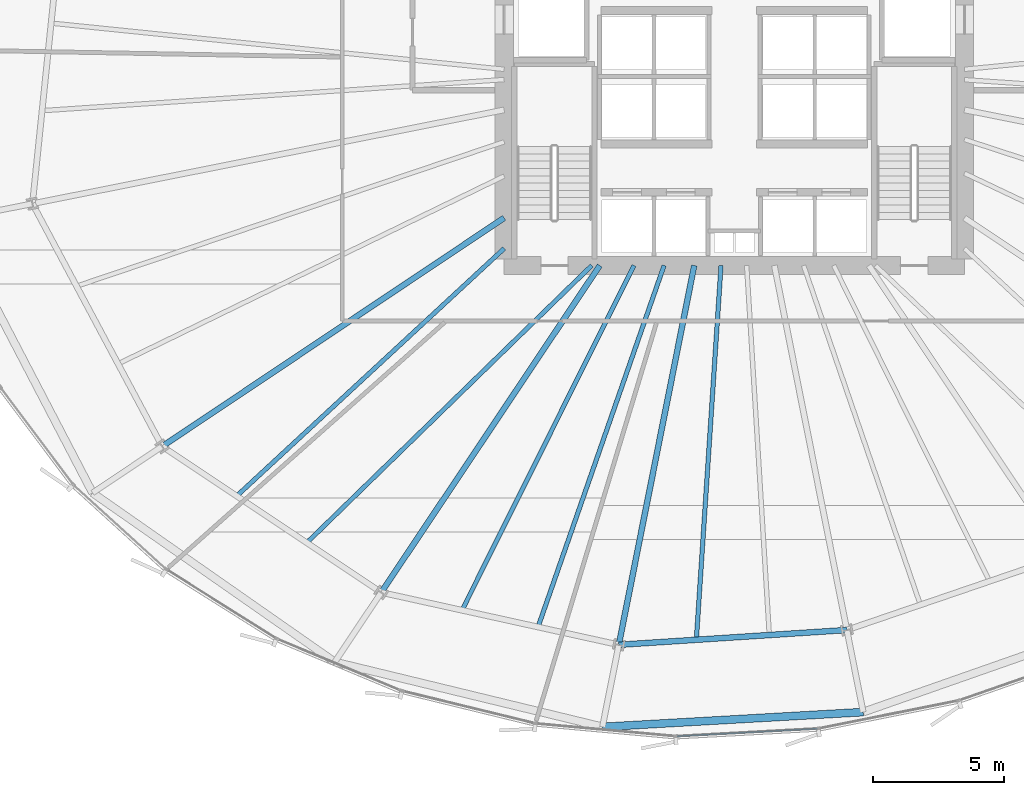
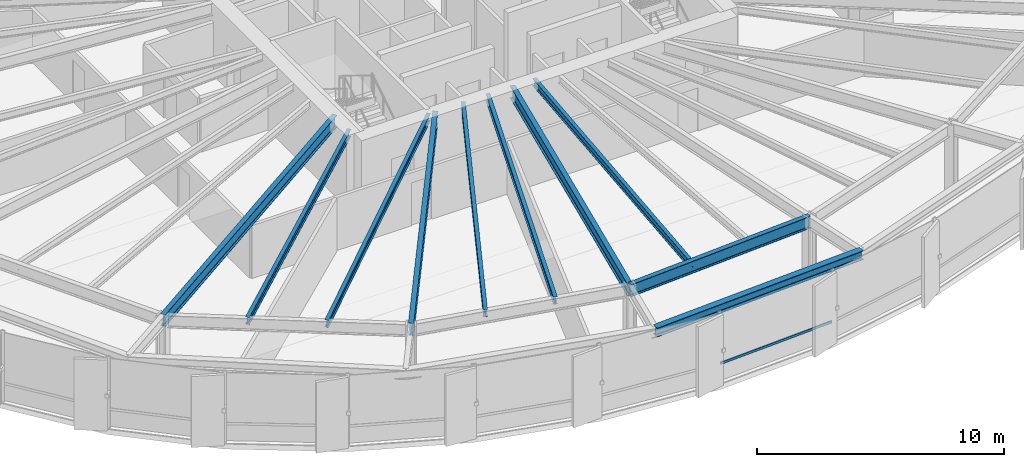
# One storey, part 6 of 37: 10 beams, 1 member, 1 element without a shape of its own.
"""IFC4 building model written with IfcOpenShell, lengths in metres."""

from ifc_helpers import new_model, si_unit, direction, frame, origin, origin_2d, place, context, subcontext, project, spatial, hollow_rectangle, i_section, extrude, source, transform, mapped, material, layer, layer_set, material_profile, profile_set, type_object, element, aggregate, save


model = new_model("IFC4")

# Units and contexts
model_context = context("Model", 3, precision=1e-05, world=origin(), true_north=direction((0.0, 1.0)))
body_context = subcontext(model_context, "Body", "Model", "MODEL_VIEW")
ifc_project = project(units=[si_unit("LENGTHUNIT", "METRE"), si_unit("AREAUNIT", "SQUARE_METRE"), si_unit("VOLUMEUNIT", "CUBIC_METRE"), si_unit("PLANEANGLEUNIT", "RADIAN"), si_unit("MASSUNIT", "GRAM", prefix="KILO"), si_unit("THERMODYNAMICTEMPERATUREUNIT", "KELVIN")], contexts=[model_context])

# Site, building, storey
site_placement = place(None, origin())
site = spatial("IfcSite", under=ifc_project, at=site_placement, CompositionType="ELEMENT")
building_placement = place(site_placement, origin())
building = spatial("IfcBuilding", under=site, at=building_placement, Name="Kethvar Cultural Tower", CompositionType="ELEMENT")
storey_placement = place(building_placement, frame((0.0, 0.0, 60.0)))
storey = spatial("IfcBuildingStorey", under=building, at=storey_placement, Name="L14", CompositionType="ELEMENT", Elevation=60.0)

# Beams
ifc_material_1 = material(Name="Steel S355J2", Category="steel")
ifc_material_profile_1 = material_profile(ifc_material_1, i_section(OverallWidth=0.219970703125, OverallDepth=0.60009765625, WebThickness=0.011962890625, FlangeThickness=0.01904296875, FilletRadius=0.02392578125, at=origin_2d()), Name="Steel S355J2 — IPE600")
ifc_profile_set_1 = profile_set([ifc_material_profile_1], Name="Steel S355J2 — IPE600")
beam_type_1 = type_object("IfcBeamType", Name="BM-IPE600", PredefinedType="BEAM", material=ifc_profile_set_1)
shared_shape_1 = source(origin(), body_context, "Body", "SweptSolid", [
    extrude(i_section(OverallWidth=0.219970703125, OverallDepth=0.60009765625, WebThickness=0.011962890625, FlangeThickness=0.01904296875, FilletRadius=0.02392578125, at=origin_2d()), origin(), (0.0, 0.0, 1.0), 15.725341796875),
])
beam_1_placement = place(storey_placement, frame((38.0, 21.919921875, 3.248046875), z_axis=(-0.831469433959, -0.555570499929, 0.0), x_axis=(0.555570499929, -0.831469433959, 0.0)))
element("IfcBeam", 1, at=beam_1_placement, inside=storey, type_object=beam_type_1, Name="L14 Primary Radial Beam RB-10", PredefinedType="BEAM", context=body_context, shape_type="MappedRepresentation", body=[
    mapped(shared_shape_1, transform((0.0, 0.0, 0.0), scale=1.0)),
])
shared_shape_2 = source(origin(), body_context, "Body", "SweptSolid", [
    extrude(i_section(OverallWidth=0.219970703125, OverallDepth=0.60009765625, WebThickness=0.011962890625, FlangeThickness=0.01904296875, FilletRadius=0.02392578125, at=origin_2d()), origin(), (0.0, 0.0, 1.0), 15.03515625),
])
beam_2_placement = place(storey_placement, frame((41.655029296875, 20.10009765625, 3.248046875), z_axis=(-0.555569254616, -0.83147026605, 0.0), x_axis=(0.83147026605, -0.555569254616, 0.0)))
element("IfcBeam", 2, at=beam_2_placement, inside=storey, type_object=beam_type_1, Name="L14 Primary Radial Beam RB-11", PredefinedType="BEAM", context=body_context, shape_type="MappedRepresentation", body=[
    mapped(shared_shape_2, transform((0.0, 0.0, 0.0), scale=1.0)),
])
shared_shape_3 = source(origin(), body_context, "Body", "SweptSolid", [
    extrude(i_section(OverallWidth=0.219970703125, OverallDepth=0.60009765625, WebThickness=0.011962890625, FlangeThickness=0.01904296875, FilletRadius=0.02392578125, at=origin_2d()), origin(), (0.0, 0.0, 1.0), 14.7880859375),
])
beam_3_placement = place(storey_placement, frame((45.268310546875, 20.10009765625, 3.248046875), z_axis=(-0.1950905456, -0.98078523593, 0.0), x_axis=(0.98078523593, -0.1950905456, 0.0)))
element("IfcBeam", 3, at=beam_3_placement, inside=storey, type_object=beam_type_1, Name="L14 Primary Radial Beam RB-12", PredefinedType="BEAM", context=body_context, shape_type="MappedRepresentation", body=[
    mapped(shared_shape_3, transform((0.0, 0.0, 0.0), scale=1.0)),
])
ifc_material_profile_2 = material_profile(ifc_material_1, i_section(OverallWidth=0.169921875, OverallDepth=0.360107421875, WebThickness=0.008056640625, FlangeThickness=0.0126953125, FilletRadius=0.01806640625, at=origin_2d()), Name="Steel S355J2 — IPE360")
ifc_profile_set_2 = profile_set([ifc_material_profile_2], Name="Steel S355J2 — IPE360")
beam_type_2 = type_object("IfcBeamType", Name="BM-J360", PredefinedType="JOIST", material=ifc_profile_set_2)
shared_shape_4 = source(origin(), body_context, "Body", "SweptSolid", [
    extrude(i_section(OverallWidth=0.169921875, OverallDepth=0.360107421875, WebThickness=0.008056640625, FlangeThickness=0.0126953125, FilletRadius=0.01806640625, at=origin_2d()), origin(), (0.0, 0.0, 1.0), 13.93505859375),
])
beam_4_placement = place(storey_placement, frame((38.0, 20.75, 3.367919921875), z_axis=(-0.733909459287, -0.679247308106, 0.0), x_axis=(0.679247308106, -0.733909459287, 0.0)))
element("IfcBeam", 4, at=beam_4_placement, inside=storey, type_object=beam_type_2, Name="L14 Composite Floor Joist J-10A", PredefinedType="JOIST", context=body_context, shape_type="MappedRepresentation", body=[
    mapped(shared_shape_4, transform((0.0, 0.0, 0.0), scale=1.0)),
])
shared_shape_5 = source(origin(), body_context, "Body", "SweptSolid", [
    extrude(i_section(OverallWidth=0.169921875, OverallDepth=0.360107421875, WebThickness=0.008056640625, FlangeThickness=0.0126953125, FilletRadius=0.01806640625, at=origin_2d()), origin(), (0.0, 0.0, 1.0), 15.20361328125),
])
beam_5_placement = place(storey_placement, frame((41.35009765625, 20.10009765625, 3.367919921875), z_axis=(-0.716707709325, -0.697373687053, 0.0), x_axis=(0.697373687053, -0.716707709325, 0.0)))
element("IfcBeam", 5, at=beam_5_placement, inside=storey, type_object=beam_type_2, Name="L14 Composite Floor Joist J-10B", PredefinedType="JOIST", context=body_context, shape_type="MappedRepresentation", body=[
    mapped(shared_shape_5, transform((0.0, 0.0, 0.0), scale=1.0)),
])
shared_shape_6 = source(origin(), body_context, "Body", "SweptSolid", [
    extrude(i_section(OverallWidth=0.169921875, OverallDepth=0.360107421875, WebThickness=0.008056640625, FlangeThickness=0.0126953125, FilletRadius=0.01806640625, at=origin_2d()), origin(), (0.0, 0.0, 1.0), 14.729248046875),
])
beam_6_placement = place(storey_placement, frame((42.961181640625, 20.10009765625, 3.367919921875), z_axis=(-0.446152473361, -0.894956965733, 0.0), x_axis=(0.894956965733, -0.446152473361, 0.0)))
element("IfcBeam", 6, at=beam_6_placement, inside=storey, type_object=beam_type_2, Name="L14 Composite Floor Joist J-11A", PredefinedType="JOIST", context=body_context, shape_type="MappedRepresentation", body=[
    mapped(shared_shape_6, transform((0.0, 0.0, 0.0), scale=1.0)),
])
shared_shape_7 = source(origin(), body_context, "Body", "SweptSolid", [
    extrude(i_section(OverallWidth=0.169921875, OverallDepth=0.360107421875, WebThickness=0.008056640625, FlangeThickness=0.0126953125, FilletRadius=0.01806640625, at=origin_2d()), origin(), (0.0, 0.0, 1.0), 14.63916015625),
])
beam_7_placement = place(storey_placement, frame((44.115234375, 20.10009765625, 3.367919921875), z_axis=(-0.329226238223, -0.94425107046, 0.0), x_axis=(0.94425107046, -0.329226238223, 0.0)))
element("IfcBeam", 7, at=beam_7_placement, inside=storey, type_object=beam_type_2, Name="L14 Composite Floor Joist J-11B", PredefinedType="JOIST", context=body_context, shape_type="MappedRepresentation", body=[
    mapped(shared_shape_7, transform((0.0, 0.0, 0.0), scale=1.0)),
])
shared_shape_8 = source(origin(), body_context, "Body", "SweptSolid", [
    extrude(i_section(OverallWidth=0.219970703125, OverallDepth=0.60009765625, WebThickness=0.011962890625, FlangeThickness=0.01904296875, FilletRadius=0.02392578125, at=origin_2d()), origin(), (0.0, 0.0, 1.0), 8.739013671875),
])
beam_8_placement = place(storey_placement, frame((42.38330078125, 5.59619140625, 3.248046875), z_axis=(0.997897424084, 0.064813046581, 0.0), x_axis=(-0.064813046581, 0.997897424084, 0.0)))
element("IfcBeam", 8, at=beam_8_placement, inside=storey, type_object=beam_type_1, Name="L14 Column Ring Tie Beam CR-12", PredefinedType="BEAM", context=body_context, shape_type="MappedRepresentation", body=[
    mapped(shared_shape_8, transform((0.0, 0.0, 0.0), scale=1.0)),
])
ifc_material_profile_3 = material_profile(ifc_material_1, i_section(OverallWidth=0.300048828125, OverallDepth=0.449951171875, WebThickness=0.013916015625, FlangeThickness=0.02587890625, FilletRadius=0.027099609375, at=origin_2d()), Name="Steel S355J2 — HEB450")
ifc_profile_set_3 = profile_set([ifc_material_profile_3], Name="Steel S355J2 — HEB450")
beam_type_3 = type_object("IfcBeamType", Name="BM-SP450", PredefinedType="SPANDREL", material=ifc_profile_set_3)
shared_shape_9 = source(origin(), body_context, "Body", "SweptSolid", [
    extrude(i_section(OverallWidth=0.300048828125, OverallDepth=0.449951171875, WebThickness=0.013916015625, FlangeThickness=0.02587890625, FilletRadius=0.027099609375, at=origin_2d()), origin(), (0.0, 0.0, 1.0), 9.9853515625),
])
beam_9_placement = place(storey_placement, frame((41.759033203125, 2.45751953125, 3.322998046875), z_axis=(0.998388517249, 0.056748291829, 0.0), x_axis=(-0.056748291829, 0.998388517249, 0.0)))
element("IfcBeam", 9, at=beam_9_placement, inside=storey, type_object=beam_type_3, Name="L14 Perimeter Spandrel Beam SP-12", PredefinedType="SPANDREL", context=body_context, shape_type="MappedRepresentation", body=[
    mapped(shared_shape_9, transform((0.0, 0.0, 0.0), scale=1.0)),
])
shared_shape_10 = source(origin(), body_context, "Body", "SweptSolid", [
    extrude(i_section(OverallWidth=0.169921875, OverallDepth=0.360107421875, WebThickness=0.008056640625, FlangeThickness=0.0126953125, FilletRadius=0.01806640625, at=origin_2d()), origin(), (0.0, 0.0, 1.0), 14.34228515625),
])
beam_10_placement = place(storey_placement, frame((46.292236328125, 20.10009765625, 3.367919921875), z_axis=(-0.065808348808, -0.997832281111, 0.0), x_axis=(0.997832281111, -0.065808348808, 0.0)))
element("IfcBeam", 10, at=beam_10_placement, inside=storey, type_object=beam_type_2, Name="L14 Composite Floor Joist J-12A", PredefinedType="JOIST", context=body_context, shape_type="MappedRepresentation", body=[
    mapped(shared_shape_10, transform((0.0, 0.0, 0.0), scale=1.0)),
])

# Curtain wall, member
ifc_material_2 = material(Name="Aluminium 6063-T6", Category="aluminium")
ifc_layer = layer(ifc_material_2, 0.179931640625, Name="Aluminium 6063-T6", Category="aluminium")
ifc_layer_set = layer_set([ifc_layer], Name="Aluminium 6063-T6 (180 mm)")
curtain_wall_type = type_object("IfcCurtainWallType", Name="CW-SYS-02-Z1", PredefinedType="NOTDEFINED", material=ifc_layer_set)
curtain_wall_placement = place(storey_placement, origin())
curtain_wall = element("IfcCurtainWall", 11, at=curtain_wall_placement, inside=storey, type_object=curtain_wall_type, Name="L14 Curtain Wall Run 05", PredefinedType="NOTDEFINED")
ifc_material_profile_4 = material_profile(ifc_material_2, hollow_rectangle(XDim=0.054931640625, YDim=0.1201171875, WallThickness=0.00390625, at=origin_2d()), Name="Aluminium 6063-T6 — RHS120x55x4")
ifc_profile_set_4 = profile_set([ifc_material_profile_4], Name="Aluminium 6063-T6 — RHS120x55x4")
member_type = type_object("IfcMemberType", Name="CW-SYS-02-Z1-TRN", PredefinedType="USERDEFINED", material=ifc_profile_set_4)
shared_shape_11 = source(origin(), body_context, "Body", "SweptSolid", [
    extrude(hollow_rectangle(XDim=0.054931640625, YDim=0.1201171875, WallThickness=0.00390625, at=origin_2d()), origin(), (0.0, 0.0, 1.0), 5.37060546875),
])
member_placement = place(storey_placement, frame((44.60888671875, 2.10009765625, 0.949951171875), z_axis=(0.99853823121, 0.054049984381, 0.0), x_axis=(-0.054049984381, 0.99853823121, 0.0)))
member = element("IfcMember", 12, at=member_placement, type_object=member_type, Name="CW-L14-R05 Transom 3", ObjectType="TRANSOM", PredefinedType="USERDEFINED", context=body_context, shape_type="MappedRepresentation", body=[
    mapped(shared_shape_11, transform((0.0, 0.0, 0.0), scale=1.0)),
])
aggregate(curtain_wall, [member])

save(model, "model.ifc")
